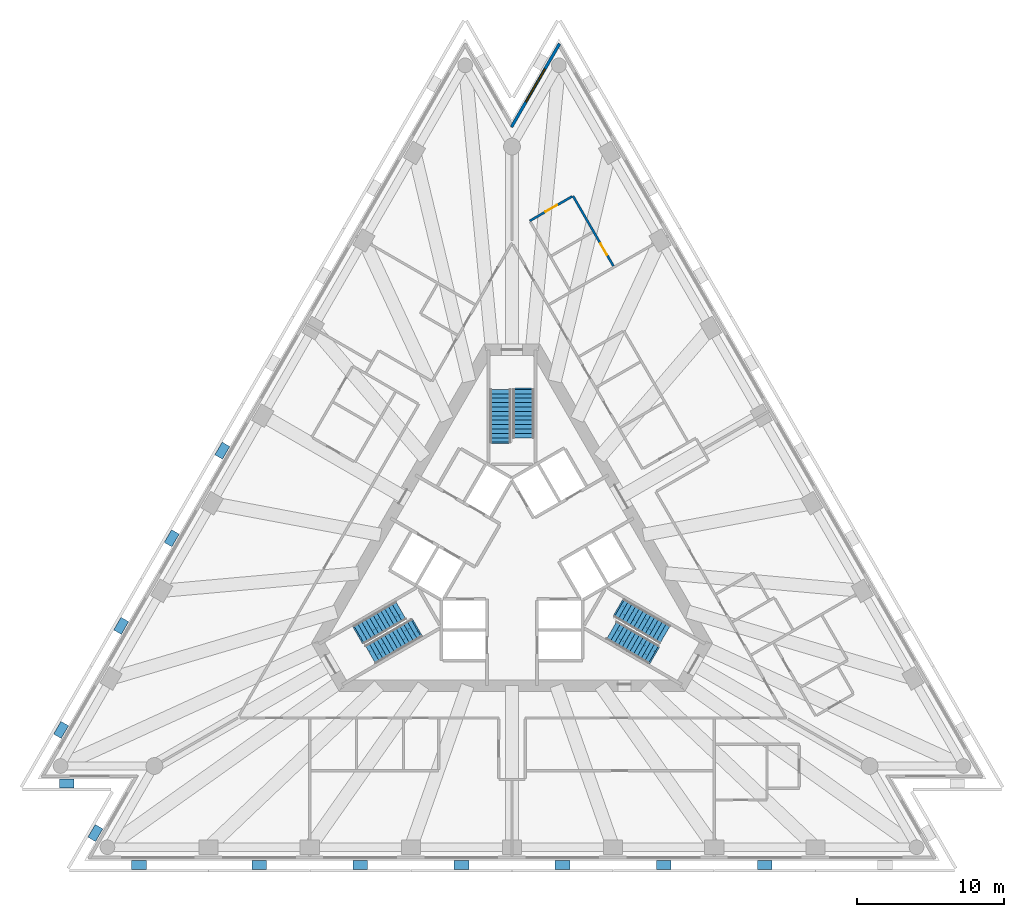
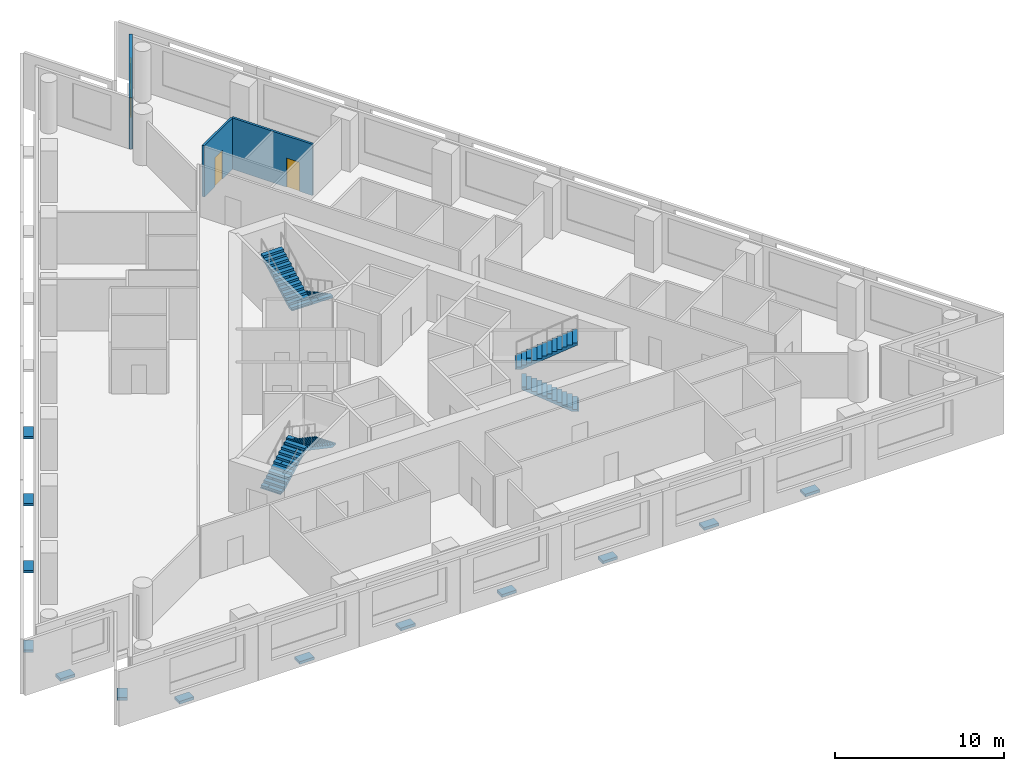
# One storey, part 7 of 10: 13 discrete accessories, 6 stair flights, 3 walls, 2 doors, 1 window, 3 openings, 3 elements without a shape of their own.
"""IFC4 building model written with IfcOpenShell, lengths in metres."""

from ifc_helpers import new_model, si_unit, direction, frame, frame_2d, origin, origin_2d, place, context, subcontext, project, spatial, polyline, rectangle, outline, extrude, material, layer, layer_set, layer_usage, type_object, element, fill, aggregate, save


model = new_model("IFC4")

# Units and contexts
model_context = context("Model", 3, precision=1e-05, world=origin(), true_north=direction((0.0, 1.0)))
body_context = subcontext(model_context, "Body", "Model", "MODEL_VIEW")
ifc_project = project(units=[si_unit("LENGTHUNIT", "METRE"), si_unit("AREAUNIT", "SQUARE_METRE"), si_unit("VOLUMEUNIT", "CUBIC_METRE"), si_unit("PLANEANGLEUNIT", "RADIAN"), si_unit("MASSUNIT", "GRAM", prefix="KILO")], contexts=[model_context])

# Site, building, storey
site_placement = place(None, origin())
site = spatial("IfcSite", under=ifc_project, at=site_placement, CompositionType="ELEMENT")
building_placement = place(site_placement, origin())
building = spatial("IfcBuilding", under=site, at=building_placement, Name="Triada Interchange Tower", CompositionType="ELEMENT")
storey_placement = place(building_placement, frame((0.0, 0.0, 124.300048828125)))
storey = spatial("IfcBuildingStorey", under=building, at=storey_placement, Name="L28", CompositionType="ELEMENT", Elevation=124.300048828125)

# Wall, opening, window
ifc_material_1 = material(Name="Cement board")
ifc_layer_1 = layer(ifc_material_1, 0.02001953125, Name="Cement board cladding")
ifc_material_2 = material(Name="Sheathing board")
ifc_layer_2 = layer(ifc_material_2, 0.014892578125, Name="Sheathing board")
ifc_material_3 = material(Name="Mineral wool")
ifc_layer_3 = layer(ifc_material_3, 0.14990234375, Name="Mineral wool between steel studs")
ifc_material_4 = material(Name="Gypsum board")
ifc_layer_4 = layer(ifc_material_4, 0.014892578125, Name="Plasterboard lining")
ifc_layer_set_1 = layer_set([ifc_layer_1, ifc_layer_2, ifc_layer_3, ifc_layer_4], Name="External wall 200")
ifc_layer_usage = layer_usage(ifc_layer_set_1, "AXIS2", "POSITIVE", -0.10009765625)
wall_type_1 = type_object("IfcWallType", Name="External wall 200", PredefinedType="ELEMENTEDWALL", material=ifc_layer_set_1)
wall_1_placement = place(storey_placement, frame((3.243896484375, 35.18505859375, 0.0), z_axis=(0.0, 0.0, 1.0), x_axis=(-0.499862072928, -0.866105021373, 0.0)))
wall_1 = element("IfcWall", 1, at=wall_1_placement, inside=storey, type_object=wall_type_1, material=ifc_layer_usage, Name="External wall L28 N-1", PredefinedType="ELEMENTEDWALL", context=body_context, shape_type="SweptSolid", body=[
    extrude(rectangle(XDim=6.559326171875, YDim=0.199951171875, at=frame_2d((3.27978515625, 0.0))), origin(), (0.0, 0.0, 1.0), 3.699951171875),
])
opening_1_placement = place(wall_1_placement, frame((1.989990234375, 0.0, 0.89990234375)))
opening_1 = element("IfcOpeningElement", 2, at=opening_1_placement, cuts=wall_1, Name="Opening WB29", PredefinedType="OPENING", context=body_context, shape_type="SweptSolid", body=[
    extrude(rectangle(XDim=2.60009765625, YDim=2.5, at=frame_2d((1.300048828125, 1.25))), frame((0.0, 0.10986328125, 0.0), z_axis=(0.0, -1.0, 0.0), x_axis=(1.0, 0.0, 0.0)), (0.0, 0.0, 1.0), 0.219970703125),
])
ifc_material_5 = material(Name="Double glazed aluminium window", Category="aluminium")
window_type = type_object("IfcWindowType", Name="Ribbon window B pocket", PartitioningType="SINGLE_PANEL", PredefinedType="WINDOW", material=ifc_material_5)
window_placement = place(opening_1_placement, origin())
window = element("IfcWindow", 3, at=window_placement, inside=storey, type_object=window_type, Name="Window L28 N-1 1", OverallHeight=2.5, OverallWidth=2.60009765625, PartitioningType="SINGLE_PANEL", PredefinedType="WINDOW", context=body_context, shape_type="SweptSolid", body=[
    extrude(rectangle(XDim=2.60009765625, YDim=2.5, at=frame_2d((1.300048828125, 1.25))), frame((0.0, 0.030029296875, 0.0), z_axis=(0.0, -1.0, 0.0), x_axis=(1.0, 0.0, 0.0)), (0.0, 0.0, 1.0), 0.06005859375),
])
fill(opening_1, window)

# Wall, opening, door
ifc_material_6 = material(Name="Gypsum board partition")
ifc_layer_5 = layer(ifc_material_6, 0.14990234375)
ifc_layer_set_2 = layer_set([ifc_layer_5], Name="PARTITION 150 EI 90")
wall_type_2 = type_object("IfcWallType", Name="PARTITION 150 EI 90", PredefinedType="PARTITIONING", material=ifc_layer_set_2)
wall_2_placement = place(storey_placement, frame((4.157958984375, 24.798095703125, 0.0), z_axis=(0.0, 0.0, 1.0), x_axis=(0.5000309746, -0.866007519852, 0.0)))
wall_2 = element("IfcWall", 4, at=wall_2_placement, inside=storey, type_object=wall_type_2, Name="Wall L26 47", PredefinedType="PARTITIONING", context=body_context, shape_type="SweptSolid", body=[
    extrude(rectangle(XDim=5.525634765625, YDim=0.14990234375, at=frame_2d((2.7626953125, 0.0))), origin(), (0.0, 0.0, 1.0), 3.699951171875),
])
opening_2_placement = place(wall_2_placement, frame((3.75, 0.0, 0.0)))
opening_2 = element("IfcOpeningElement", 5, at=opening_2_placement, cuts=wall_2, Name="Opening D26-32", PredefinedType="OPENING", context=body_context, shape_type="SweptSolid", body=[
    extrude(rectangle(XDim=0.89990234375, YDim=2.10009765625, at=frame_2d((0.449951171875, 1.050048828125))), frame((0.0, 0.0849609375, 0.0), z_axis=(0.0, -1.0, 0.0), x_axis=(1.0, 0.0, 0.0)), (0.0, 0.0, 1.0), 0.169921875),
])
ifc_material_7 = material(Name="Steel S235 door leaf", Category="steel")
door_type = type_object("IfcDoorType", Name="ROOM DOOR 900 EI2 45-C5S200", OperationType="NOTDEFINED", PredefinedType="DOOR", material=ifc_material_7)
door_1_placement = place(opening_2_placement, origin())
door_1 = element("IfcDoor", 6, at=door_1_placement, inside=storey, type_object=door_type, Name="Door D26-32 L28", OperationType="SINGLE_SWING_LEFT", OverallHeight=2.10009765625, OverallWidth=0.89990234375, PredefinedType="DOOR", context=body_context, shape_type="SweptSolid", body=[
    extrude(rectangle(XDim=0.89990234375, YDim=2.10009765625, at=frame_2d((0.449951171875, 1.050048828125))), frame((0.0, 0.02490234375, 0.0), z_axis=(0.0, -1.0, 0.0), x_axis=(1.0, 0.0, 0.0)), (0.0, 0.0, 1.0), 0.050048828125),
])
fill(opening_2, door_1)

wall_3_placement = place(storey_placement, frame((1.214111328125, 23.097900390625, 0.0), z_axis=(0.0, 0.0, 1.0), x_axis=(0.866029041019, 0.499993700073, 0.0)))
wall_3 = element("IfcWall", 7, at=wall_3_placement, inside=storey, type_object=wall_type_2, Name="Wall L26 48", PredefinedType="PARTITIONING", context=body_context, shape_type="SweptSolid", body=[
    extrude(rectangle(XDim=3.32421875, YDim=0.14990234375, at=frame_2d((1.662109375, 0.0))), origin(), (0.0, 0.0, 1.0), 3.699951171875),
])
opening_3_placement = place(wall_3_placement, frame((1.25, 0.0, 0.0)))
opening_3 = element("IfcOpeningElement", 8, at=opening_3_placement, cuts=wall_3, Name="Opening D26-33", PredefinedType="OPENING", context=body_context, shape_type="SweptSolid", body=[
    extrude(rectangle(XDim=0.89990234375, YDim=2.10009765625, at=frame_2d((0.449951171875, 1.050048828125))), frame((0.0, 0.0849609375, 0.0), z_axis=(0.0, -1.0, 0.0), x_axis=(1.0, 0.0, 0.0)), (0.0, 0.0, 1.0), 0.169921875),
])
door_2_placement = place(opening_3_placement, origin())
door_2 = element("IfcDoor", 9, at=door_2_placement, inside=storey, type_object=door_type, Name="Door D26-33 L28", OperationType="SINGLE_SWING_RIGHT", OverallHeight=2.10009765625, OverallWidth=0.89990234375, PredefinedType="DOOR", context=body_context, shape_type="SweptSolid", body=[
    extrude(rectangle(XDim=0.89990234375, YDim=2.10009765625, at=frame_2d((0.449951171875, 1.050048828125))), frame((0.0, 0.02490234375, 0.0), z_axis=(0.0, -1.0, 0.0), x_axis=(1.0, 0.0, 0.0)), (0.0, 0.0, 1.0), 0.050048828125),
])
fill(opening_3, door_2)

# Stair, stair flights
ifc_material_8 = material(Name="Concrete C35/45", Category="concrete")
stair_type = type_object("IfcStairType", Name="HALF TURN STAIR 1400", PredefinedType="HALF_TURN_STAIR", material=ifc_material_8)
stair_1_placement = place(storey_placement, origin())
stair_1 = element("IfcStair", 10, at=stair_1_placement, inside=storey, type_object=stair_type, Name="Exit stair S26-1", PredefinedType="HALF_TURN_STAIR")
stair_flight_type = type_object("IfcStairFlightType", Name="STRAIGHT STAIR FLIGHT 1400", PredefinedType="STRAIGHT", material=ifc_material_8)
stair_flight_1_placement = place(storey_placement, frame((0.800048828125, 11.60009765625, 0.0), z_axis=(0.0, 0.0, 1.0), x_axis=(0.0, -1.0, 0.0)))
stair_flight_1 = element("IfcStairFlight", 11, at=stair_flight_1_placement, type_object=stair_flight_type, Name="S26-1 flight 1", NumberOfRisers=12, NumberOfTreads=11, PredefinedType="STRAIGHT", RiserHeight=0.16, TreadLength=0.3, context=body_context, shape_type="SweptSolid", body=[
    extrude(outline(polyline([(-0.10009765625, 0.0), (-0.10009765625, 0.02001953125), (0.0, 0.02001953125), (0.0, 0.159912109375), (0.300048828125, 0.159912109375), (0.300048828125, 0.320068359375), (0.60009765625, 0.320068359375), (0.60009765625, 0.47998046875), (0.89990234375, 0.47998046875), (0.89990234375, 0.639892578125), (1.199951171875, 0.639892578125), (1.199951171875, 0.800048828125), (1.5, 0.800048828125), (1.5, 0.9599609375), (1.800048828125, 0.9599609375), (1.800048828125, 1.1201171875), (2.10009765625, 1.1201171875), (2.10009765625, 1.280029296875), (2.39990234375, 1.280029296875), (2.39990234375, 1.43994140625), (2.699951171875, 1.43994140625), (2.699951171875, 1.60009765625), (3.0, 1.60009765625), (3.0, 1.760009765625), (3.300048828125, 1.760009765625), (3.303955078125, 1.760009765625), (3.303955078125, 1.919921875), (3.303955078125, 1.590087890625), (0.318603515625, 0.0), (-0.10009765625, 0.0)])), frame((0.0, 0.699951171875, 0.0), z_axis=(0.0, -1.0, 0.0), x_axis=(1.0, 0.0, 0.0)), (0.0, 0.0, 1.0), 0.46533203125),
    extrude(outline(polyline([(-0.10009765625, 0.0), (-0.10009765625, 0.02001953125), (0.0, 0.02001953125), (0.0, 0.159912109375), (0.300048828125, 0.159912109375), (0.300048828125, 0.320068359375), (0.60009765625, 0.320068359375), (0.60009765625, 0.47998046875), (0.89990234375, 0.47998046875), (0.89990234375, 0.639892578125), (1.199951171875, 0.639892578125), (1.199951171875, 0.800048828125), (1.5, 0.800048828125), (1.5, 0.9599609375), (1.800048828125, 0.9599609375), (1.800048828125, 1.1201171875), (2.10009765625, 1.1201171875), (2.10009765625, 1.280029296875), (2.39990234375, 1.280029296875), (2.39990234375, 1.43994140625), (2.699951171875, 1.43994140625), (2.699951171875, 1.60009765625), (3.0, 1.60009765625), (3.0, 1.760009765625), (3.300048828125, 1.760009765625), (3.303955078125, 1.760009765625), (3.303955078125, 1.919921875), (3.303955078125, 1.590087890625), (0.318603515625, 0.0), (-0.10009765625, 0.0)])), frame((0.0, 0.232666015625, 0.0), z_axis=(0.0, -1.0, 0.0), x_axis=(1.0, 0.0, 0.0)), (0.0, 0.0, 1.0), 0.46533203125),
    extrude(outline(polyline([(-0.10009765625, 0.0), (-0.10009765625, 0.02001953125), (0.0, 0.02001953125), (0.0, 0.159912109375), (0.300048828125, 0.159912109375), (0.300048828125, 0.320068359375), (0.60009765625, 0.320068359375), (0.60009765625, 0.47998046875), (0.89990234375, 0.47998046875), (0.89990234375, 0.639892578125), (1.199951171875, 0.639892578125), (1.199951171875, 0.800048828125), (1.5, 0.800048828125), (1.5, 0.9599609375), (1.800048828125, 0.9599609375), (1.800048828125, 1.1201171875), (2.10009765625, 1.1201171875), (2.10009765625, 1.280029296875), (2.39990234375, 1.280029296875), (2.39990234375, 1.43994140625), (2.699951171875, 1.43994140625), (2.699951171875, 1.60009765625), (3.0, 1.60009765625), (3.0, 1.760009765625), (3.300048828125, 1.760009765625), (3.303955078125, 1.760009765625), (3.303955078125, 1.919921875), (3.303955078125, 1.590087890625), (0.318603515625, 0.0), (-0.10009765625, 0.0)])), frame((0.0, -0.234619140625, 0.0), z_axis=(0.0, -1.0, 0.0), x_axis=(1.0, 0.0, 0.0)), (0.0, 0.0, 1.0), 0.46533203125),
])
stair_flight_2_placement = place(storey_placement, frame((-0.800048828125, 8.0, 1.919921875), z_axis=(0.0, 0.0, 1.0), x_axis=(0.0, 1.0, 0.0)))
stair_flight_2 = element("IfcStairFlight", 12, at=stair_flight_2_placement, type_object=stair_flight_type, Name="S26-1 flight 2", NumberOfRisers=13, NumberOfTreads=12, PredefinedType="STRAIGHT", RiserHeight=0.16, TreadLength=0.3, context=body_context, shape_type="SweptSolid", body=[
    extrude(outline(polyline([(-0.10009765625, 0.0), (-0.10009765625, 0.02001953125), (0.0, 0.02001953125), (0.0, 0.159912109375), (0.300048828125, 0.159912109375), (0.300048828125, 0.320068359375), (0.60009765625, 0.320068359375), (0.60009765625, 0.47998046875), (0.89990234375, 0.47998046875), (0.89990234375, 0.639892578125), (1.199951171875, 0.639892578125), (1.199951171875, 0.800048828125), (1.5, 0.800048828125), (1.5, 0.9599609375), (1.800048828125, 0.9599609375), (1.800048828125, 1.1201171875), (2.10009765625, 1.1201171875), (2.10009765625, 1.280029296875), (2.39990234375, 1.280029296875), (2.39990234375, 1.43994140625), (2.699951171875, 1.43994140625), (2.699951171875, 1.60009765625), (3.0, 1.60009765625), (3.0, 1.760009765625), (3.300048828125, 1.760009765625), (3.300048828125, 1.919921875), (3.60009765625, 1.919921875), (3.60400390625, 1.919921875), (3.60400390625, 2.080078125), (3.60400390625, 1.75), (0.318603515625, 0.0), (-0.10009765625, 0.0)])), frame((0.0, 0.699951171875, 0.0), z_axis=(0.0, -1.0, 0.0), x_axis=(1.0, 0.0, 0.0)), (0.0, 0.0, 1.0), 0.46533203125),
    extrude(outline(polyline([(-0.10009765625, 0.0), (-0.10009765625, 0.02001953125), (0.0, 0.02001953125), (0.0, 0.159912109375), (0.300048828125, 0.159912109375), (0.300048828125, 0.320068359375), (0.60009765625, 0.320068359375), (0.60009765625, 0.47998046875), (0.89990234375, 0.47998046875), (0.89990234375, 0.639892578125), (1.199951171875, 0.639892578125), (1.199951171875, 0.800048828125), (1.5, 0.800048828125), (1.5, 0.9599609375), (1.800048828125, 0.9599609375), (1.800048828125, 1.1201171875), (2.10009765625, 1.1201171875), (2.10009765625, 1.280029296875), (2.39990234375, 1.280029296875), (2.39990234375, 1.43994140625), (2.699951171875, 1.43994140625), (2.699951171875, 1.60009765625), (3.0, 1.60009765625), (3.0, 1.760009765625), (3.300048828125, 1.760009765625), (3.300048828125, 1.919921875), (3.60009765625, 1.919921875), (3.60400390625, 1.919921875), (3.60400390625, 2.080078125), (3.60400390625, 1.75), (0.318603515625, 0.0), (-0.10009765625, 0.0)])), frame((0.0, 0.232666015625, 0.0), z_axis=(0.0, -1.0, 0.0), x_axis=(1.0, 0.0, 0.0)), (0.0, 0.0, 1.0), 0.46533203125),
    extrude(outline(polyline([(-0.10009765625, 0.0), (-0.10009765625, 0.02001953125), (0.0, 0.02001953125), (0.0, 0.159912109375), (0.300048828125, 0.159912109375), (0.300048828125, 0.320068359375), (0.60009765625, 0.320068359375), (0.60009765625, 0.47998046875), (0.89990234375, 0.47998046875), (0.89990234375, 0.639892578125), (1.199951171875, 0.639892578125), (1.199951171875, 0.800048828125), (1.5, 0.800048828125), (1.5, 0.9599609375), (1.800048828125, 0.9599609375), (1.800048828125, 1.1201171875), (2.10009765625, 1.1201171875), (2.10009765625, 1.280029296875), (2.39990234375, 1.280029296875), (2.39990234375, 1.43994140625), (2.699951171875, 1.43994140625), (2.699951171875, 1.60009765625), (3.0, 1.60009765625), (3.0, 1.760009765625), (3.300048828125, 1.760009765625), (3.300048828125, 1.919921875), (3.60009765625, 1.919921875), (3.60400390625, 1.919921875), (3.60400390625, 2.080078125), (3.60400390625, 1.75), (0.318603515625, 0.0), (-0.10009765625, 0.0)])), frame((0.0, -0.234619140625, 0.0), z_axis=(0.0, -1.0, 0.0), x_axis=(1.0, 0.0, 0.0)), (0.0, 0.0, 1.0), 0.46533203125),
])
aggregate(stair_1, [stair_flight_1, stair_flight_2])

stair_2_placement = place(storey_placement, origin())
stair_2 = element("IfcStair", 13, at=stair_2_placement, inside=storey, type_object=stair_type, Name="Exit stair S26-2", PredefinedType="HALF_TURN_STAIR")
stair_flight_3_placement = place(storey_placement, frame((-10.446044921875, -5.10693359375, 0.0), z_axis=(0.0, 0.0, 1.0), x_axis=(0.866025403784, 0.5, 0.0)))
stair_flight_3 = element("IfcStairFlight", 14, at=stair_flight_3_placement, type_object=stair_flight_type, Name="S26-2 flight 1", NumberOfRisers=12, NumberOfTreads=11, PredefinedType="STRAIGHT", RiserHeight=0.16, TreadLength=0.3, context=body_context, shape_type="SweptSolid", body=[
    extrude(outline(polyline([(-0.10009765625, 0.0), (-0.10009765625, 0.02001953125), (0.0, 0.02001953125), (0.0, 0.159912109375), (0.300048828125, 0.159912109375), (0.300048828125, 0.320068359375), (0.60009765625, 0.320068359375), (0.60009765625, 0.47998046875), (0.89990234375, 0.47998046875), (0.89990234375, 0.639892578125), (1.199951171875, 0.639892578125), (1.199951171875, 0.800048828125), (1.5, 0.800048828125), (1.5, 0.9599609375), (1.800048828125, 0.9599609375), (1.800048828125, 1.1201171875), (2.10009765625, 1.1201171875), (2.10009765625, 1.280029296875), (2.39990234375, 1.280029296875), (2.39990234375, 1.43994140625), (2.699951171875, 1.43994140625), (2.699951171875, 1.60009765625), (3.0, 1.60009765625), (3.0, 1.760009765625), (3.300048828125, 1.760009765625), (3.303955078125, 1.760009765625), (3.303955078125, 1.919921875), (3.303955078125, 1.590087890625), (0.318603515625, 0.0), (-0.10009765625, 0.0)])), frame((0.0, 0.699951171875, 0.0), z_axis=(0.0, -1.0, 0.0), x_axis=(1.0, 0.0, 0.0)), (0.0, 0.0, 1.0), 0.46533203125),
    extrude(outline(polyline([(-0.10009765625, 0.0), (-0.10009765625, 0.02001953125), (0.0, 0.02001953125), (0.0, 0.159912109375), (0.300048828125, 0.159912109375), (0.300048828125, 0.320068359375), (0.60009765625, 0.320068359375), (0.60009765625, 0.47998046875), (0.89990234375, 0.47998046875), (0.89990234375, 0.639892578125), (1.199951171875, 0.639892578125), (1.199951171875, 0.800048828125), (1.5, 0.800048828125), (1.5, 0.9599609375), (1.800048828125, 0.9599609375), (1.800048828125, 1.1201171875), (2.10009765625, 1.1201171875), (2.10009765625, 1.280029296875), (2.39990234375, 1.280029296875), (2.39990234375, 1.43994140625), (2.699951171875, 1.43994140625), (2.699951171875, 1.60009765625), (3.0, 1.60009765625), (3.0, 1.760009765625), (3.300048828125, 1.760009765625), (3.303955078125, 1.760009765625), (3.303955078125, 1.919921875), (3.303955078125, 1.590087890625), (0.318603515625, 0.0), (-0.10009765625, 0.0)])), frame((0.0, 0.232666015625, 0.0), z_axis=(0.0, -1.0, 0.0), x_axis=(1.0, 0.0, 0.0)), (0.0, 0.0, 1.0), 0.46533203125),
    extrude(outline(polyline([(-0.10009765625, 0.0), (-0.10009765625, 0.02001953125), (0.0, 0.02001953125), (0.0, 0.159912109375), (0.300048828125, 0.159912109375), (0.300048828125, 0.320068359375), (0.60009765625, 0.320068359375), (0.60009765625, 0.47998046875), (0.89990234375, 0.47998046875), (0.89990234375, 0.639892578125), (1.199951171875, 0.639892578125), (1.199951171875, 0.800048828125), (1.5, 0.800048828125), (1.5, 0.9599609375), (1.800048828125, 0.9599609375), (1.800048828125, 1.1201171875), (2.10009765625, 1.1201171875), (2.10009765625, 1.280029296875), (2.39990234375, 1.280029296875), (2.39990234375, 1.43994140625), (2.699951171875, 1.43994140625), (2.699951171875, 1.60009765625), (3.0, 1.60009765625), (3.0, 1.760009765625), (3.300048828125, 1.760009765625), (3.303955078125, 1.760009765625), (3.303955078125, 1.919921875), (3.303955078125, 1.590087890625), (0.318603515625, 0.0), (-0.10009765625, 0.0)])), frame((0.0, -0.234619140625, 0.0), z_axis=(0.0, -1.0, 0.0), x_axis=(1.0, 0.0, 0.0)), (0.0, 0.0, 1.0), 0.46533203125),
])
stair_flight_4_placement = place(storey_placement, frame((-6.528076171875, -4.693115234375, 1.919921875), z_axis=(0.0, 0.0, 1.0), x_axis=(-0.866025403784, -0.5, 0.0)))
stair_flight_4 = element("IfcStairFlight", 15, at=stair_flight_4_placement, type_object=stair_flight_type, Name="S26-2 flight 2", NumberOfRisers=13, NumberOfTreads=12, PredefinedType="STRAIGHT", RiserHeight=0.16, TreadLength=0.3, context=body_context, shape_type="SweptSolid", body=[
    extrude(outline(polyline([(-0.10009765625, 0.0), (-0.10009765625, 0.02001953125), (0.0, 0.02001953125), (0.0, 0.159912109375), (0.300048828125, 0.159912109375), (0.300048828125, 0.320068359375), (0.60009765625, 0.320068359375), (0.60009765625, 0.47998046875), (0.89990234375, 0.47998046875), (0.89990234375, 0.639892578125), (1.199951171875, 0.639892578125), (1.199951171875, 0.800048828125), (1.5, 0.800048828125), (1.5, 0.9599609375), (1.800048828125, 0.9599609375), (1.800048828125, 1.1201171875), (2.10009765625, 1.1201171875), (2.10009765625, 1.280029296875), (2.39990234375, 1.280029296875), (2.39990234375, 1.43994140625), (2.699951171875, 1.43994140625), (2.699951171875, 1.60009765625), (3.0, 1.60009765625), (3.0, 1.760009765625), (3.300048828125, 1.760009765625), (3.300048828125, 1.919921875), (3.60009765625, 1.919921875), (3.60400390625, 1.919921875), (3.60400390625, 2.080078125), (3.60400390625, 1.75), (0.318603515625, 0.0), (-0.10009765625, 0.0)])), frame((0.0, 0.699951171875, 0.0), z_axis=(0.0, -1.0, 0.0), x_axis=(1.0, 0.0, 0.0)), (0.0, 0.0, 1.0), 0.46533203125),
    extrude(outline(polyline([(-0.10009765625, 0.0), (-0.10009765625, 0.02001953125), (0.0, 0.02001953125), (0.0, 0.159912109375), (0.300048828125, 0.159912109375), (0.300048828125, 0.320068359375), (0.60009765625, 0.320068359375), (0.60009765625, 0.47998046875), (0.89990234375, 0.47998046875), (0.89990234375, 0.639892578125), (1.199951171875, 0.639892578125), (1.199951171875, 0.800048828125), (1.5, 0.800048828125), (1.5, 0.9599609375), (1.800048828125, 0.9599609375), (1.800048828125, 1.1201171875), (2.10009765625, 1.1201171875), (2.10009765625, 1.280029296875), (2.39990234375, 1.280029296875), (2.39990234375, 1.43994140625), (2.699951171875, 1.43994140625), (2.699951171875, 1.60009765625), (3.0, 1.60009765625), (3.0, 1.760009765625), (3.300048828125, 1.760009765625), (3.300048828125, 1.919921875), (3.60009765625, 1.919921875), (3.60400390625, 1.919921875), (3.60400390625, 2.080078125), (3.60400390625, 1.75), (0.318603515625, 0.0), (-0.10009765625, 0.0)])), frame((0.0, 0.232666015625, 0.0), z_axis=(0.0, -1.0, 0.0), x_axis=(1.0, 0.0, 0.0)), (0.0, 0.0, 1.0), 0.46533203125),
    extrude(outline(polyline([(-0.10009765625, 0.0), (-0.10009765625, 0.02001953125), (0.0, 0.02001953125), (0.0, 0.159912109375), (0.300048828125, 0.159912109375), (0.300048828125, 0.320068359375), (0.60009765625, 0.320068359375), (0.60009765625, 0.47998046875), (0.89990234375, 0.47998046875), (0.89990234375, 0.639892578125), (1.199951171875, 0.639892578125), (1.199951171875, 0.800048828125), (1.5, 0.800048828125), (1.5, 0.9599609375), (1.800048828125, 0.9599609375), (1.800048828125, 1.1201171875), (2.10009765625, 1.1201171875), (2.10009765625, 1.280029296875), (2.39990234375, 1.280029296875), (2.39990234375, 1.43994140625), (2.699951171875, 1.43994140625), (2.699951171875, 1.60009765625), (3.0, 1.60009765625), (3.0, 1.760009765625), (3.300048828125, 1.760009765625), (3.300048828125, 1.919921875), (3.60009765625, 1.919921875), (3.60400390625, 1.919921875), (3.60400390625, 2.080078125), (3.60400390625, 1.75), (0.318603515625, 0.0), (-0.10009765625, 0.0)])), frame((0.0, -0.234619140625, 0.0), z_axis=(0.0, -1.0, 0.0), x_axis=(1.0, 0.0, 0.0)), (0.0, 0.0, 1.0), 0.46533203125),
])
aggregate(stair_2, [stair_flight_3, stair_flight_4])

stair_3_placement = place(storey_placement, origin())
stair_3 = element("IfcStair", 16, at=stair_3_placement, inside=storey, type_object=stair_type, Name="Exit stair S26-3", PredefinedType="HALF_TURN_STAIR")
stair_flight_5_placement = place(storey_placement, frame((9.64599609375, -6.492919921875, 0.0), z_axis=(0.0, 0.0, 1.0), x_axis=(-0.866025403784, 0.5, 0.0)))
stair_flight_5 = element("IfcStairFlight", 17, at=stair_flight_5_placement, type_object=stair_flight_type, Name="S26-3 flight 1", NumberOfRisers=12, NumberOfTreads=11, PredefinedType="STRAIGHT", RiserHeight=0.16, TreadLength=0.3, context=body_context, shape_type="SweptSolid", body=[
    extrude(outline(polyline([(-0.10009765625, 0.0), (-0.10009765625, 0.02001953125), (0.0, 0.02001953125), (0.0, 0.159912109375), (0.300048828125, 0.159912109375), (0.300048828125, 0.320068359375), (0.60009765625, 0.320068359375), (0.60009765625, 0.47998046875), (0.89990234375, 0.47998046875), (0.89990234375, 0.639892578125), (1.199951171875, 0.639892578125), (1.199951171875, 0.800048828125), (1.5, 0.800048828125), (1.5, 0.9599609375), (1.800048828125, 0.9599609375), (1.800048828125, 1.1201171875), (2.10009765625, 1.1201171875), (2.10009765625, 1.280029296875), (2.39990234375, 1.280029296875), (2.39990234375, 1.43994140625), (2.699951171875, 1.43994140625), (2.699951171875, 1.60009765625), (3.0, 1.60009765625), (3.0, 1.760009765625), (3.300048828125, 1.760009765625), (3.303955078125, 1.760009765625), (3.303955078125, 1.919921875), (3.303955078125, 1.590087890625), (0.318603515625, 0.0), (-0.10009765625, 0.0)])), frame((0.0, 0.699951171875, 0.0), z_axis=(0.0, -1.0, 0.0), x_axis=(1.0, 0.0, 0.0)), (0.0, 0.0, 1.0), 0.46533203125),
    extrude(outline(polyline([(-0.10009765625, 0.0), (-0.10009765625, 0.02001953125), (0.0, 0.02001953125), (0.0, 0.159912109375), (0.300048828125, 0.159912109375), (0.300048828125, 0.320068359375), (0.60009765625, 0.320068359375), (0.60009765625, 0.47998046875), (0.89990234375, 0.47998046875), (0.89990234375, 0.639892578125), (1.199951171875, 0.639892578125), (1.199951171875, 0.800048828125), (1.5, 0.800048828125), (1.5, 0.9599609375), (1.800048828125, 0.9599609375), (1.800048828125, 1.1201171875), (2.10009765625, 1.1201171875), (2.10009765625, 1.280029296875), (2.39990234375, 1.280029296875), (2.39990234375, 1.43994140625), (2.699951171875, 1.43994140625), (2.699951171875, 1.60009765625), (3.0, 1.60009765625), (3.0, 1.760009765625), (3.300048828125, 1.760009765625), (3.303955078125, 1.760009765625), (3.303955078125, 1.919921875), (3.303955078125, 1.590087890625), (0.318603515625, 0.0), (-0.10009765625, 0.0)])), frame((0.0, 0.232666015625, 0.0), z_axis=(0.0, -1.0, 0.0), x_axis=(1.0, 0.0, 0.0)), (0.0, 0.0, 1.0), 0.46533203125),
    extrude(outline(polyline([(-0.10009765625, 0.0), (-0.10009765625, 0.02001953125), (0.0, 0.02001953125), (0.0, 0.159912109375), (0.300048828125, 0.159912109375), (0.300048828125, 0.320068359375), (0.60009765625, 0.320068359375), (0.60009765625, 0.47998046875), (0.89990234375, 0.47998046875), (0.89990234375, 0.639892578125), (1.199951171875, 0.639892578125), (1.199951171875, 0.800048828125), (1.5, 0.800048828125), (1.5, 0.9599609375), (1.800048828125, 0.9599609375), (1.800048828125, 1.1201171875), (2.10009765625, 1.1201171875), (2.10009765625, 1.280029296875), (2.39990234375, 1.280029296875), (2.39990234375, 1.43994140625), (2.699951171875, 1.43994140625), (2.699951171875, 1.60009765625), (3.0, 1.60009765625), (3.0, 1.760009765625), (3.300048828125, 1.760009765625), (3.303955078125, 1.760009765625), (3.303955078125, 1.919921875), (3.303955078125, 1.590087890625), (0.318603515625, 0.0), (-0.10009765625, 0.0)])), frame((0.0, -0.234619140625, 0.0), z_axis=(0.0, -1.0, 0.0), x_axis=(1.0, 0.0, 0.0)), (0.0, 0.0, 1.0), 0.46533203125),
])
stair_flight_6_placement = place(storey_placement, frame((7.327880859375, -3.306884765625, 1.919921875), z_axis=(0.0, 0.0, 1.0), x_axis=(0.866025403784, -0.5, 0.0)))
stair_flight_6 = element("IfcStairFlight", 18, at=stair_flight_6_placement, type_object=stair_flight_type, Name="S26-3 flight 2", NumberOfRisers=13, NumberOfTreads=12, PredefinedType="STRAIGHT", RiserHeight=0.16, TreadLength=0.3, context=body_context, shape_type="SweptSolid", body=[
    extrude(outline(polyline([(-0.10009765625, 0.0), (-0.10009765625, 0.02001953125), (0.0, 0.02001953125), (0.0, 0.159912109375), (0.300048828125, 0.159912109375), (0.300048828125, 0.320068359375), (0.60009765625, 0.320068359375), (0.60009765625, 0.47998046875), (0.89990234375, 0.47998046875), (0.89990234375, 0.639892578125), (1.199951171875, 0.639892578125), (1.199951171875, 0.800048828125), (1.5, 0.800048828125), (1.5, 0.9599609375), (1.800048828125, 0.9599609375), (1.800048828125, 1.1201171875), (2.10009765625, 1.1201171875), (2.10009765625, 1.280029296875), (2.39990234375, 1.280029296875), (2.39990234375, 1.43994140625), (2.699951171875, 1.43994140625), (2.699951171875, 1.60009765625), (3.0, 1.60009765625), (3.0, 1.760009765625), (3.300048828125, 1.760009765625), (3.300048828125, 1.919921875), (3.60009765625, 1.919921875), (3.60400390625, 1.919921875), (3.60400390625, 2.080078125), (3.60400390625, 1.75), (0.318603515625, 0.0), (-0.10009765625, 0.0)])), frame((0.0, 0.699951171875, 0.0), z_axis=(0.0, -1.0, 0.0), x_axis=(1.0, 0.0, 0.0)), (0.0, 0.0, 1.0), 0.46533203125),
    extrude(outline(polyline([(-0.10009765625, 0.0), (-0.10009765625, 0.02001953125), (0.0, 0.02001953125), (0.0, 0.159912109375), (0.300048828125, 0.159912109375), (0.300048828125, 0.320068359375), (0.60009765625, 0.320068359375), (0.60009765625, 0.47998046875), (0.89990234375, 0.47998046875), (0.89990234375, 0.639892578125), (1.199951171875, 0.639892578125), (1.199951171875, 0.800048828125), (1.5, 0.800048828125), (1.5, 0.9599609375), (1.800048828125, 0.9599609375), (1.800048828125, 1.1201171875), (2.10009765625, 1.1201171875), (2.10009765625, 1.280029296875), (2.39990234375, 1.280029296875), (2.39990234375, 1.43994140625), (2.699951171875, 1.43994140625), (2.699951171875, 1.60009765625), (3.0, 1.60009765625), (3.0, 1.760009765625), (3.300048828125, 1.760009765625), (3.300048828125, 1.919921875), (3.60009765625, 1.919921875), (3.60400390625, 1.919921875), (3.60400390625, 2.080078125), (3.60400390625, 1.75), (0.318603515625, 0.0), (-0.10009765625, 0.0)])), frame((0.0, 0.232666015625, 0.0), z_axis=(0.0, -1.0, 0.0), x_axis=(1.0, 0.0, 0.0)), (0.0, 0.0, 1.0), 0.46533203125),
    extrude(outline(polyline([(-0.10009765625, 0.0), (-0.10009765625, 0.02001953125), (0.0, 0.02001953125), (0.0, 0.159912109375), (0.300048828125, 0.159912109375), (0.300048828125, 0.320068359375), (0.60009765625, 0.320068359375), (0.60009765625, 0.47998046875), (0.89990234375, 0.47998046875), (0.89990234375, 0.639892578125), (1.199951171875, 0.639892578125), (1.199951171875, 0.800048828125), (1.5, 0.800048828125), (1.5, 0.9599609375), (1.800048828125, 0.9599609375), (1.800048828125, 1.1201171875), (2.10009765625, 1.1201171875), (2.10009765625, 1.280029296875), (2.39990234375, 1.280029296875), (2.39990234375, 1.43994140625), (2.699951171875, 1.43994140625), (2.699951171875, 1.60009765625), (3.0, 1.60009765625), (3.0, 1.760009765625), (3.300048828125, 1.760009765625), (3.300048828125, 1.919921875), (3.60009765625, 1.919921875), (3.60400390625, 1.919921875), (3.60400390625, 2.080078125), (3.60400390625, 1.75), (0.318603515625, 0.0), (-0.10009765625, 0.0)])), frame((0.0, -0.234619140625, 0.0), z_axis=(0.0, -1.0, 0.0), x_axis=(1.0, 0.0, 0.0)), (0.0, 0.0, 1.0), 0.46533203125),
])
aggregate(stair_3, [stair_flight_5, stair_flight_6])

# Discrete accessories
ifc_material_9 = material(Name="Steel S355", Category="steel")
discrete_accessory_type = type_object("IfcDiscreteAccessoryType", Name="Steel bracket outer skin", PredefinedType="BRACKET", material=ifc_material_9)
for number, where, z_axis, x_axis, name in (
    (19, (-19.758056640625, 7.425048828125, -0.27001953125), (0.0, 0.0, 1.0), (-0.866028484274, 0.499994664397, 0.0), "Bracket L28 05"),
    (20, (-23.20703125, 1.450927734375, -0.27001953125), (0.0, 0.0, 1.0), (-0.866028484274, 0.499994664397, 0.0), "Bracket L28 06"),
    (21, (-26.656005859375, -4.52197265625, -0.27001953125), (0.0, 0.0, 1.0), (-0.866028484274, 0.499994664397, 0.0), "Bracket L28 07"),
    (22, (-30.75390625, -11.62109375, -0.27001953125), (0.0, 0.0, 1.0), (-0.866028484274, 0.499994664397, 0.0), "Bracket L28 08"),
    (23, (-30.362060546875, -15.282958984375, -0.27001953125), (0.0, 0.0, 1.0), (0.0, -1.0, 0.0), "Bracket L28 09"),
    (24, (-28.416015625, -18.653076171875, -0.27001953125), (0.0, 0.0, 1.0), (-0.865964345711, 0.500105740775, 0.0), "Bracket L28 10"),
    (25, (-25.44091796875, -20.823974609375, -0.27001953125), (0.0, 0.0, 1.0), (0.0, -1.0, 0.0), "Bracket L28 11"),
    (26, (-17.243896484375, -20.823974609375, -0.27001953125), (0.0, 0.0, 1.0), (0.0, -1.0, 0.0), "Bracket L28 12"),
    (27, (-10.346923828125, -20.823974609375, -0.27001953125), (0.0, 0.0, 1.0), (0.0, -1.0, 0.0), "Bracket L28 13"),
    (28, (-3.448974609375, -20.823974609375, -0.27001953125), (0.0, 0.0, 1.0), (0.0, -1.0, 0.0), "Bracket L28 14"),
    (29, (3.448974609375, -20.823974609375, -0.27001953125), (0.0, 0.0, 1.0), (0.0, -1.0, 0.0), "Bracket L28 15"),
    (30, (10.346923828125, -20.823974609375, -0.27001953125), (0.0, 0.0, 1.0), (0.0, -1.0, 0.0), "Bracket L28 16"),
    (31, (17.243896484375, -20.823974609375, -0.27001953125), (0.0, 0.0, 1.0), (0.0, -1.0, 0.0), "Bracket L28 17"),
):
    element("IfcDiscreteAccessory", number, at=place(storey_placement, frame(where, z_axis=z_axis, x_axis=x_axis)), inside=storey, type_object=discrete_accessory_type, Name=name, PredefinedType="BRACKET", context=body_context, shape_type="SweptSolid", body=[
        extrude(rectangle(XDim=0.60009765625, YDim=1.0, at=origin_2d()), origin(), (0.0, 0.0, 1.0), 0.199951171875),
    ])

save(model, "model.ifc")
